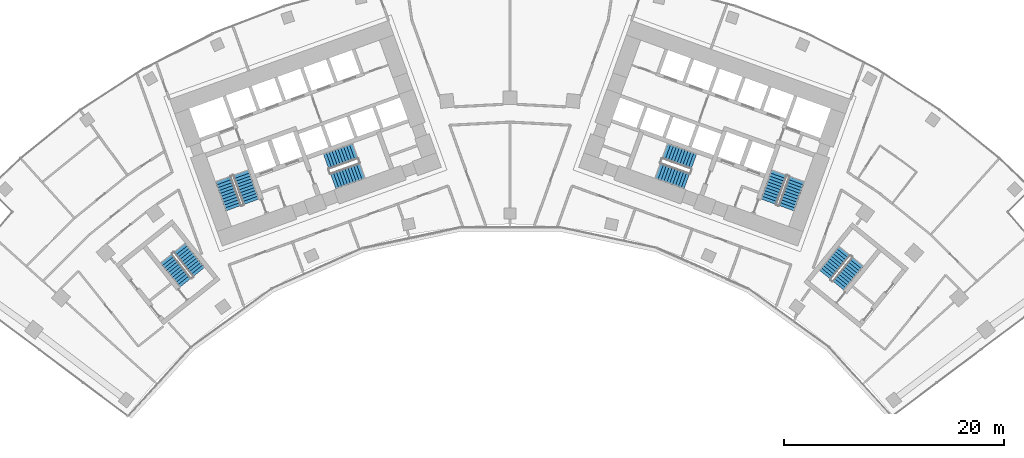
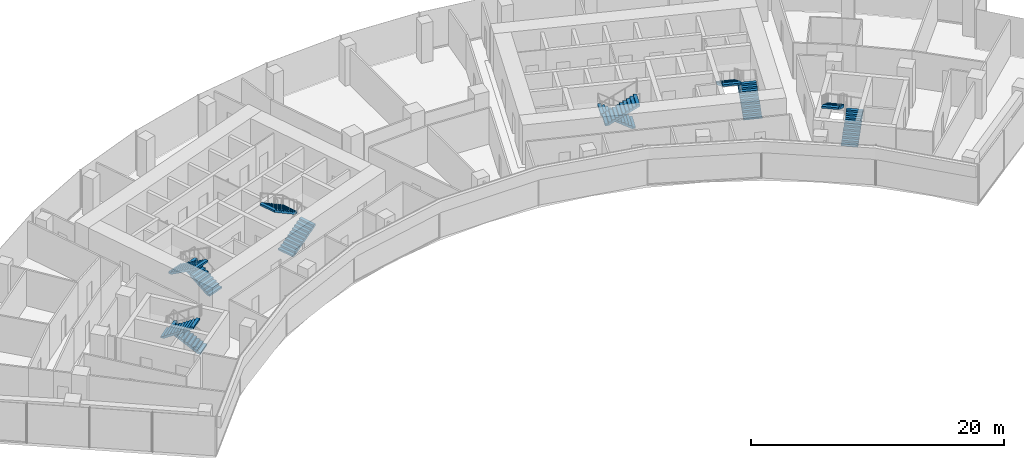
# One storey, part 18 of 20: 12 stair flights, 6 elements without a shape of their own.
"""IFC4 building model written with IfcOpenShell, lengths in metres."""

from ifc_helpers import new_model, si_unit, direction, frame, origin, place, context, subcontext, project, spatial, polyline, outline, extrude, material, type_object, element, aggregate, save


model = new_model("IFC4")

# Units and contexts
model_context = context("Model", 3, precision=1e-05, world=origin(), true_north=direction((0.0, 1.0)))
body_context = subcontext(model_context, "Body", "Model", "MODEL_VIEW")
ifc_project = project(units=[si_unit("LENGTHUNIT", "METRE"), si_unit("AREAUNIT", "SQUARE_METRE"), si_unit("VOLUMEUNIT", "CUBIC_METRE"), si_unit("PLANEANGLEUNIT", "RADIAN"), si_unit("MASSUNIT", "GRAM", prefix="KILO")], contexts=[model_context])

# Site, building, storey
site_placement = place(None, origin())
site = spatial("IfcSite", under=ifc_project, at=site_placement, CompositionType="ELEMENT")
building_placement = place(site_placement, origin())
building = spatial("IfcBuilding", under=site, at=building_placement, Name="Stone Belt Terrace Tower", CompositionType="ELEMENT")
storey_placement = place(building_placement, frame((0.0, 0.0, 147.800048828125)))
storey = spatial("IfcBuildingStorey", under=building, at=storey_placement, Name="L35", CompositionType="ELEMENT", Elevation=147.800048828125)

# Stair, stair flights
ifc_material = material(Name="Concrete B40", Category="concrete")
stair_type = type_object("IfcStairType", Name="Exit stair 1500", PredefinedType="HALF_TURN_STAIR", material=ifc_material)
stair_1_placement = place(storey_placement, origin())
stair_1 = element("IfcStair", 1, at=stair_1_placement, inside=storey, type_object=stair_type, Name="L35 Exit stair 1 core A", PredefinedType="HALF_TURN_STAIR")
stair_flight_type = type_object("IfcStairFlightType", Name="Stair flight 1500", PredefinedType="STRAIGHT", material=ifc_material)
stair_flight_1_placement = place(storey_placement, frame((-23.55322265625, 45.51318359375, 0.0), z_axis=(0.0, 0.0, 1.0), x_axis=(-0.338624396177, 0.940921632398, 0.0)))
stair_flight_1 = element("IfcStairFlight", 2, at=stair_flight_1_placement, type_object=stair_flight_type, Name="ST1A flight 1", NumberOfRisers=11, NumberOfTreads=10, PredefinedType="STRAIGHT", RiserHeight=0.172727273, TreadLength=0.28, context=body_context, shape_type="SweptSolid", body=[
    extrude(outline(polyline([(0.0, 0.0), (0.0, 0.172607421875), (0.280029296875, 0.172607421875), (0.280029296875, 0.345458984375), (0.56005859375, 0.345458984375), (0.56005859375, 0.51806640625), (0.840087890625, 0.51806640625), (0.840087890625, 0.69091796875), (1.1201171875, 0.69091796875), (1.1201171875, 0.863525390625), (1.39990234375, 0.863525390625), (1.39990234375, 1.036376953125), (1.679931640625, 1.036376953125), (1.679931640625, 1.208984375), (1.9599609375, 1.208984375), (1.9599609375, 1.3818359375), (2.239990234375, 1.3818359375), (2.239990234375, 1.554443359375), (2.52001953125, 1.554443359375), (2.52001953125, 1.727294921875), (2.800048828125, 1.727294921875), (2.800048828125, 1.89990234375), (2.800048828125, 1.551025390625), (0.285400390625, 0.0), (0.0, 0.0)])), frame((0.0, 0.75, 0.0), z_axis=(0.0, -1.0, 0.0), x_axis=(1.0, 0.0, 0.0)), (0.0, 0.0, 1.0), 1.5),
])
stair_flight_2_placement = place(storey_placement, frame((-26.10107421875, 47.572021484375, 1.89990234375), z_axis=(0.0, 0.0, 1.0), x_axis=(0.338624396177, -0.940921632398, 0.0)))
stair_flight_2 = element("IfcStairFlight", 3, at=stair_flight_2_placement, type_object=stair_flight_type, Name="ST1A flight 2", NumberOfRisers=11, NumberOfTreads=10, PredefinedType="STRAIGHT", RiserHeight=0.172727273, TreadLength=0.28, context=body_context, shape_type="SweptSolid", body=[
    extrude(outline(polyline([(0.0, 0.0), (0.0, 0.172607421875), (0.280029296875, 0.172607421875), (0.280029296875, 0.345458984375), (0.56005859375, 0.345458984375), (0.56005859375, 0.51806640625), (0.840087890625, 0.51806640625), (0.840087890625, 0.69091796875), (1.1201171875, 0.69091796875), (1.1201171875, 0.863525390625), (1.39990234375, 0.863525390625), (1.39990234375, 1.036376953125), (1.679931640625, 1.036376953125), (1.679931640625, 1.208984375), (1.9599609375, 1.208984375), (1.9599609375, 1.3818359375), (2.239990234375, 1.3818359375), (2.239990234375, 1.554443359375), (2.52001953125, 1.554443359375), (2.52001953125, 1.727294921875), (2.800048828125, 1.727294921875), (2.800048828125, 1.89990234375), (2.800048828125, 1.551025390625), (0.285400390625, 0.0), (0.0, 0.0)])), frame((0.0, 0.75, 0.0), z_axis=(0.0, -1.0, 0.0), x_axis=(1.0, 0.0, 0.0)), (0.0, 0.0, 1.0), 1.5),
])
aggregate(stair_1, [stair_flight_1, stair_flight_2])

stair_2_placement = place(storey_placement, origin())
stair_2 = element("IfcStair", 4, at=stair_2_placement, inside=storey, type_object=stair_type, Name="L35 Exit stair 2 core A", PredefinedType="HALF_TURN_STAIR")
stair_flight_3_placement = place(storey_placement, frame((-16.101318359375, 47.39794921875, 0.0), z_axis=(0.0, 0.0, 1.0), x_axis=(0.940921632398, 0.338624396177, 0.0)))
stair_flight_3 = element("IfcStairFlight", 5, at=stair_flight_3_placement, type_object=stair_flight_type, Name="ST2A flight 1", NumberOfRisers=11, NumberOfTreads=10, PredefinedType="STRAIGHT", RiserHeight=0.172727273, TreadLength=0.28, context=body_context, shape_type="SweptSolid", body=[
    extrude(outline(polyline([(0.0, 0.0), (0.0, 0.172607421875), (0.280029296875, 0.172607421875), (0.280029296875, 0.345458984375), (0.56005859375, 0.345458984375), (0.56005859375, 0.51806640625), (0.840087890625, 0.51806640625), (0.840087890625, 0.69091796875), (1.1201171875, 0.69091796875), (1.1201171875, 0.863525390625), (1.39990234375, 0.863525390625), (1.39990234375, 1.036376953125), (1.679931640625, 1.036376953125), (1.679931640625, 1.208984375), (1.9599609375, 1.208984375), (1.9599609375, 1.3818359375), (2.239990234375, 1.3818359375), (2.239990234375, 1.554443359375), (2.52001953125, 1.554443359375), (2.52001953125, 1.727294921875), (2.800048828125, 1.727294921875), (2.800048828125, 1.89990234375), (2.800048828125, 1.551025390625), (0.285400390625, 0.0), (0.0, 0.0)])), frame((0.0, 0.75, 0.0), z_axis=(0.0, -1.0, 0.0), x_axis=(1.0, 0.0, 0.0)), (0.0, 0.0, 1.0), 1.5),
])
stair_flight_4_placement = place(storey_placement, frame((-14.110107421875, 50.1337890625, 1.89990234375), z_axis=(0.0, 0.0, 1.0), x_axis=(-0.940921632398, -0.338624396177, 0.0)))
stair_flight_4 = element("IfcStairFlight", 6, at=stair_flight_4_placement, type_object=stair_flight_type, Name="ST2A flight 2", NumberOfRisers=11, NumberOfTreads=10, PredefinedType="STRAIGHT", RiserHeight=0.172727273, TreadLength=0.28, context=body_context, shape_type="SweptSolid", body=[
    extrude(outline(polyline([(0.0, 0.0), (0.0, 0.172607421875), (0.280029296875, 0.172607421875), (0.280029296875, 0.345458984375), (0.56005859375, 0.345458984375), (0.56005859375, 0.51806640625), (0.840087890625, 0.51806640625), (0.840087890625, 0.69091796875), (1.1201171875, 0.69091796875), (1.1201171875, 0.863525390625), (1.39990234375, 0.863525390625), (1.39990234375, 1.036376953125), (1.679931640625, 1.036376953125), (1.679931640625, 1.208984375), (1.9599609375, 1.208984375), (1.9599609375, 1.3818359375), (2.239990234375, 1.3818359375), (2.239990234375, 1.554443359375), (2.52001953125, 1.554443359375), (2.52001953125, 1.727294921875), (2.800048828125, 1.727294921875), (2.800048828125, 1.89990234375), (2.800048828125, 1.551025390625), (0.285400390625, 0.0), (0.0, 0.0)])), frame((0.0, 0.75, 0.0), z_axis=(0.0, -1.0, 0.0), x_axis=(1.0, 0.0, 0.0)), (0.0, 0.0, 1.0), 1.5),
])
aggregate(stair_2, [stair_flight_3, stair_flight_4])

stair_3_placement = place(storey_placement, origin())
stair_3 = element("IfcStair", 7, at=stair_3_placement, inside=storey, type_object=stair_type, Name="L35 Exit stair 1 core B", PredefinedType="HALF_TURN_STAIR")
stair_flight_5_placement = place(storey_placement, frame((25.15283203125, 44.9375, 0.0), z_axis=(0.0, 0.0, 1.0), x_axis=(0.338624396177, 0.940921632398, 0.0)))
stair_flight_5 = element("IfcStairFlight", 8, at=stair_flight_5_placement, type_object=stair_flight_type, Name="ST1B flight 1", NumberOfRisers=11, NumberOfTreads=10, PredefinedType="STRAIGHT", RiserHeight=0.172727273, TreadLength=0.28, context=body_context, shape_type="SweptSolid", body=[
    extrude(outline(polyline([(0.0, 0.0), (0.0, 0.172607421875), (0.280029296875, 0.172607421875), (0.280029296875, 0.345458984375), (0.56005859375, 0.345458984375), (0.56005859375, 0.51806640625), (0.840087890625, 0.51806640625), (0.840087890625, 0.69091796875), (1.1201171875, 0.69091796875), (1.1201171875, 0.863525390625), (1.39990234375, 0.863525390625), (1.39990234375, 1.036376953125), (1.679931640625, 1.036376953125), (1.679931640625, 1.208984375), (1.9599609375, 1.208984375), (1.9599609375, 1.3818359375), (2.239990234375, 1.3818359375), (2.239990234375, 1.554443359375), (2.52001953125, 1.554443359375), (2.52001953125, 1.727294921875), (2.800048828125, 1.727294921875), (2.800048828125, 1.89990234375), (2.800048828125, 1.551025390625), (0.285400390625, 0.0), (0.0, 0.0)])), frame((0.0, 0.75, 0.0), z_axis=(0.0, -1.0, 0.0), x_axis=(1.0, 0.0, 0.0)), (0.0, 0.0, 1.0), 1.5),
])
stair_flight_6_placement = place(storey_placement, frame((24.50146484375, 48.147705078125, 1.89990234375), z_axis=(0.0, 0.0, 1.0), x_axis=(-0.338624396177, -0.940921632398, 0.0)))
stair_flight_6 = element("IfcStairFlight", 9, at=stair_flight_6_placement, type_object=stair_flight_type, Name="ST1B flight 2", NumberOfRisers=11, NumberOfTreads=10, PredefinedType="STRAIGHT", RiserHeight=0.172727273, TreadLength=0.28, context=body_context, shape_type="SweptSolid", body=[
    extrude(outline(polyline([(0.0, 0.0), (0.0, 0.172607421875), (0.280029296875, 0.172607421875), (0.280029296875, 0.345458984375), (0.56005859375, 0.345458984375), (0.56005859375, 0.51806640625), (0.840087890625, 0.51806640625), (0.840087890625, 0.69091796875), (1.1201171875, 0.69091796875), (1.1201171875, 0.863525390625), (1.39990234375, 0.863525390625), (1.39990234375, 1.036376953125), (1.679931640625, 1.036376953125), (1.679931640625, 1.208984375), (1.9599609375, 1.208984375), (1.9599609375, 1.3818359375), (2.239990234375, 1.3818359375), (2.239990234375, 1.554443359375), (2.52001953125, 1.554443359375), (2.52001953125, 1.727294921875), (2.800048828125, 1.727294921875), (2.800048828125, 1.89990234375), (2.800048828125, 1.551025390625), (0.285400390625, 0.0), (0.0, 0.0)])), frame((0.0, 0.75, 0.0), z_axis=(0.0, -1.0, 0.0), x_axis=(1.0, 0.0, 0.0)), (0.0, 0.0, 1.0), 1.5),
])
aggregate(stair_3, [stair_flight_5, stair_flight_6])

stair_4_placement = place(storey_placement, origin())
stair_4 = element("IfcStair", 10, at=stair_4_placement, inside=storey, type_object=stair_type, Name="L35 Exit stair 2 core B", PredefinedType="HALF_TURN_STAIR")
stair_flight_7_placement = place(storey_placement, frame((16.74462890625, 49.185546875, 0.0), z_axis=(0.0, 0.0, 1.0), x_axis=(-0.940921632398, 0.338624396177, 0.0)))
stair_flight_7 = element("IfcStairFlight", 11, at=stair_flight_7_placement, type_object=stair_flight_type, Name="ST2B flight 1", NumberOfRisers=11, NumberOfTreads=10, PredefinedType="STRAIGHT", RiserHeight=0.172727273, TreadLength=0.28, context=body_context, shape_type="SweptSolid", body=[
    extrude(outline(polyline([(0.0, 0.0), (0.0, 0.172607421875), (0.280029296875, 0.172607421875), (0.280029296875, 0.345458984375), (0.56005859375, 0.345458984375), (0.56005859375, 0.51806640625), (0.840087890625, 0.51806640625), (0.840087890625, 0.69091796875), (1.1201171875, 0.69091796875), (1.1201171875, 0.863525390625), (1.39990234375, 0.863525390625), (1.39990234375, 1.036376953125), (1.679931640625, 1.036376953125), (1.679931640625, 1.208984375), (1.9599609375, 1.208984375), (1.9599609375, 1.3818359375), (2.239990234375, 1.3818359375), (2.239990234375, 1.554443359375), (2.52001953125, 1.554443359375), (2.52001953125, 1.727294921875), (2.800048828125, 1.727294921875), (2.800048828125, 1.89990234375), (2.800048828125, 1.551025390625), (0.285400390625, 0.0), (0.0, 0.0)])), frame((0.0, 0.75, 0.0), z_axis=(0.0, -1.0, 0.0), x_axis=(1.0, 0.0, 0.0)), (0.0, 0.0, 1.0), 1.5),
])
stair_flight_8_placement = place(storey_placement, frame((13.466796875, 48.345947265625, 1.89990234375), z_axis=(0.0, 0.0, 1.0), x_axis=(0.940921632398, -0.338624396177, 0.0)))
stair_flight_8 = element("IfcStairFlight", 12, at=stair_flight_8_placement, type_object=stair_flight_type, Name="ST2B flight 2", NumberOfRisers=11, NumberOfTreads=10, PredefinedType="STRAIGHT", RiserHeight=0.172727273, TreadLength=0.28, context=body_context, shape_type="SweptSolid", body=[
    extrude(outline(polyline([(0.0, 0.0), (0.0, 0.172607421875), (0.280029296875, 0.172607421875), (0.280029296875, 0.345458984375), (0.56005859375, 0.345458984375), (0.56005859375, 0.51806640625), (0.840087890625, 0.51806640625), (0.840087890625, 0.69091796875), (1.1201171875, 0.69091796875), (1.1201171875, 0.863525390625), (1.39990234375, 0.863525390625), (1.39990234375, 1.036376953125), (1.679931640625, 1.036376953125), (1.679931640625, 1.208984375), (1.9599609375, 1.208984375), (1.9599609375, 1.3818359375), (2.239990234375, 1.3818359375), (2.239990234375, 1.554443359375), (2.52001953125, 1.554443359375), (2.52001953125, 1.727294921875), (2.800048828125, 1.727294921875), (2.800048828125, 1.89990234375), (2.800048828125, 1.551025390625), (0.285400390625, 0.0), (0.0, 0.0)])), frame((0.0, 0.75, 0.0), z_axis=(0.0, -1.0, 0.0), x_axis=(1.0, 0.0, 0.0)), (0.0, 0.0, 1.0), 1.5),
])
aggregate(stair_4, [stair_flight_7, stair_flight_8])

stair_5_placement = place(storey_placement, origin())
stair_5 = element("IfcStair", 13, at=stair_5_placement, inside=storey, type_object=stair_type, Name="L35 Exit stair 3A", PredefinedType="HALF_TURN_STAIR")
stair_flight_9_placement = place(storey_placement, frame((-28.325439453125, 39.1240234375, 0.0), z_axis=(0.0, 0.0, 1.0), x_axis=(-0.623121363691, 0.782125160132, 0.0)))
stair_flight_9 = element("IfcStairFlight", 14, at=stair_flight_9_placement, type_object=stair_flight_type, Name="ST3A flight 1", NumberOfRisers=11, NumberOfTreads=10, PredefinedType="STRAIGHT", RiserHeight=0.172727273, TreadLength=0.28, context=body_context, shape_type="SweptSolid", body=[
    extrude(outline(polyline([(0.0, 0.0), (0.0, 0.172607421875), (0.280029296875, 0.172607421875), (0.280029296875, 0.345458984375), (0.56005859375, 0.345458984375), (0.56005859375, 0.51806640625), (0.840087890625, 0.51806640625), (0.840087890625, 0.69091796875), (1.1201171875, 0.69091796875), (1.1201171875, 0.863525390625), (1.39990234375, 0.863525390625), (1.39990234375, 1.036376953125), (1.679931640625, 1.036376953125), (1.679931640625, 1.208984375), (1.9599609375, 1.208984375), (1.9599609375, 1.3818359375), (2.239990234375, 1.3818359375), (2.239990234375, 1.554443359375), (2.52001953125, 1.554443359375), (2.52001953125, 1.727294921875), (2.800048828125, 1.727294921875), (2.800048828125, 1.89990234375), (2.800048828125, 1.551025390625), (0.285400390625, 0.0), (0.0, 0.0)])), frame((0.0, 0.675048828125, 0.0), z_axis=(0.0, -1.0, 0.0), x_axis=(1.0, 0.0, 0.0)), (0.0, 0.0, 1.0), 1.35009765625),
])
stair_flight_10_placement = place(storey_placement, frame((-31.282470703125, 40.34814453125, 1.89990234375), z_axis=(0.0, 0.0, 1.0), x_axis=(0.623121363691, -0.782125160132, 0.0)))
stair_flight_10 = element("IfcStairFlight", 15, at=stair_flight_10_placement, type_object=stair_flight_type, Name="ST3A flight 2", NumberOfRisers=11, NumberOfTreads=10, PredefinedType="STRAIGHT", RiserHeight=0.172727273, TreadLength=0.28, context=body_context, shape_type="SweptSolid", body=[
    extrude(outline(polyline([(0.0, 0.0), (0.0, 0.172607421875), (0.280029296875, 0.172607421875), (0.280029296875, 0.345458984375), (0.56005859375, 0.345458984375), (0.56005859375, 0.51806640625), (0.840087890625, 0.51806640625), (0.840087890625, 0.69091796875), (1.1201171875, 0.69091796875), (1.1201171875, 0.863525390625), (1.39990234375, 0.863525390625), (1.39990234375, 1.036376953125), (1.679931640625, 1.036376953125), (1.679931640625, 1.208984375), (1.9599609375, 1.208984375), (1.9599609375, 1.3818359375), (2.239990234375, 1.3818359375), (2.239990234375, 1.554443359375), (2.52001953125, 1.554443359375), (2.52001953125, 1.727294921875), (2.800048828125, 1.727294921875), (2.800048828125, 1.89990234375), (2.800048828125, 1.551025390625), (0.285400390625, 0.0), (0.0, 0.0)])), frame((0.0, 0.675048828125, 0.0), z_axis=(0.0, -1.0, 0.0), x_axis=(1.0, 0.0, 0.0)), (0.0, 0.0, 1.0), 1.35009765625),
])
aggregate(stair_5, [stair_flight_9, stair_flight_10])

stair_6_placement = place(storey_placement, origin())
stair_6 = element("IfcStair", 16, at=stair_6_placement, inside=storey, type_object=stair_type, Name="L35 Exit stair 3B", PredefinedType="HALF_TURN_STAIR")
stair_flight_11_placement = place(storey_placement, frame((29.88330078125, 37.887939453125, 0.0), z_axis=(0.0, 0.0, 1.0), x_axis=(0.630205749599, 0.776428176441, 0.0)))
stair_flight_11 = element("IfcStairFlight", 17, at=stair_flight_11_placement, type_object=stair_flight_type, Name="ST3B flight 1", NumberOfRisers=11, NumberOfTreads=10, PredefinedType="STRAIGHT", RiserHeight=0.172727273, TreadLength=0.28, context=body_context, shape_type="SweptSolid", body=[
    extrude(outline(polyline([(0.0, 0.0), (0.0, 0.172607421875), (0.280029296875, 0.172607421875), (0.280029296875, 0.345458984375), (0.56005859375, 0.345458984375), (0.56005859375, 0.51806640625), (0.840087890625, 0.51806640625), (0.840087890625, 0.69091796875), (1.1201171875, 0.69091796875), (1.1201171875, 0.863525390625), (1.39990234375, 0.863525390625), (1.39990234375, 1.036376953125), (1.679931640625, 1.036376953125), (1.679931640625, 1.208984375), (1.9599609375, 1.208984375), (1.9599609375, 1.3818359375), (2.239990234375, 1.3818359375), (2.239990234375, 1.554443359375), (2.52001953125, 1.554443359375), (2.52001953125, 1.727294921875), (2.800048828125, 1.727294921875), (2.800048828125, 1.89990234375), (2.800048828125, 1.551025390625), (0.285400390625, 0.0), (0.0, 0.0)])), frame((0.0, 0.675048828125, 0.0), z_axis=(0.0, -1.0, 0.0), x_axis=(1.0, 0.0, 0.0)), (0.0, 0.0, 1.0), 1.35009765625),
])
stair_flight_12_placement = place(storey_placement, frame((30.4443359375, 41.038818359375, 1.89990234375), z_axis=(0.0, 0.0, 1.0), x_axis=(-0.630205749599, -0.776428176441, 0.0)))
stair_flight_12 = element("IfcStairFlight", 18, at=stair_flight_12_placement, type_object=stair_flight_type, Name="ST3B flight 2", NumberOfRisers=11, NumberOfTreads=10, PredefinedType="STRAIGHT", RiserHeight=0.172727273, TreadLength=0.28, context=body_context, shape_type="SweptSolid", body=[
    extrude(outline(polyline([(0.0, 0.0), (0.0, 0.172607421875), (0.280029296875, 0.172607421875), (0.280029296875, 0.345458984375), (0.56005859375, 0.345458984375), (0.56005859375, 0.51806640625), (0.840087890625, 0.51806640625), (0.840087890625, 0.69091796875), (1.1201171875, 0.69091796875), (1.1201171875, 0.863525390625), (1.39990234375, 0.863525390625), (1.39990234375, 1.036376953125), (1.679931640625, 1.036376953125), (1.679931640625, 1.208984375), (1.9599609375, 1.208984375), (1.9599609375, 1.3818359375), (2.239990234375, 1.3818359375), (2.239990234375, 1.554443359375), (2.52001953125, 1.554443359375), (2.52001953125, 1.727294921875), (2.800048828125, 1.727294921875), (2.800048828125, 1.89990234375), (2.800048828125, 1.551025390625), (0.285400390625, 0.0), (0.0, 0.0)])), frame((0.0, 0.675048828125, 0.0), z_axis=(0.0, -1.0, 0.0), x_axis=(1.0, 0.0, 0.0)), (0.0, 0.0, 1.0), 1.35009765625),
])
aggregate(stair_6, [stair_flight_11, stair_flight_12])

save(model, "model.ifc")
